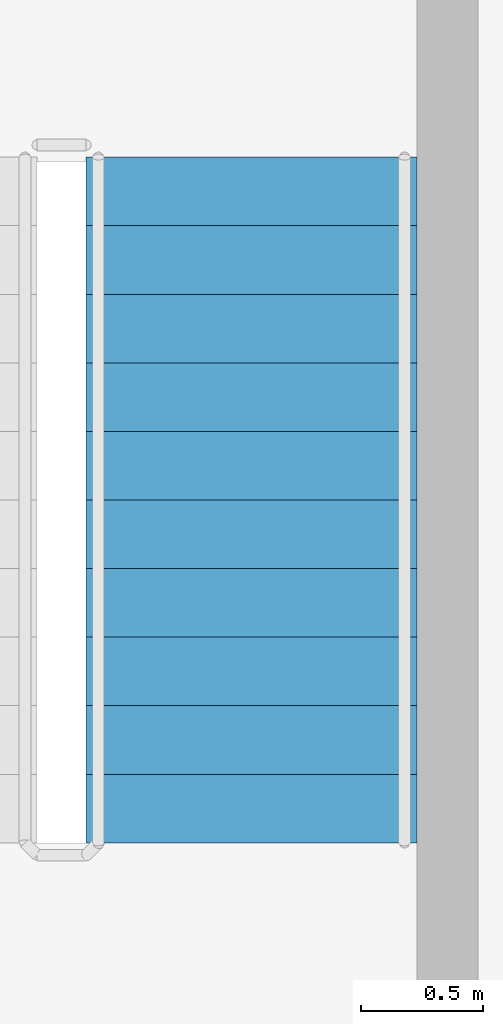
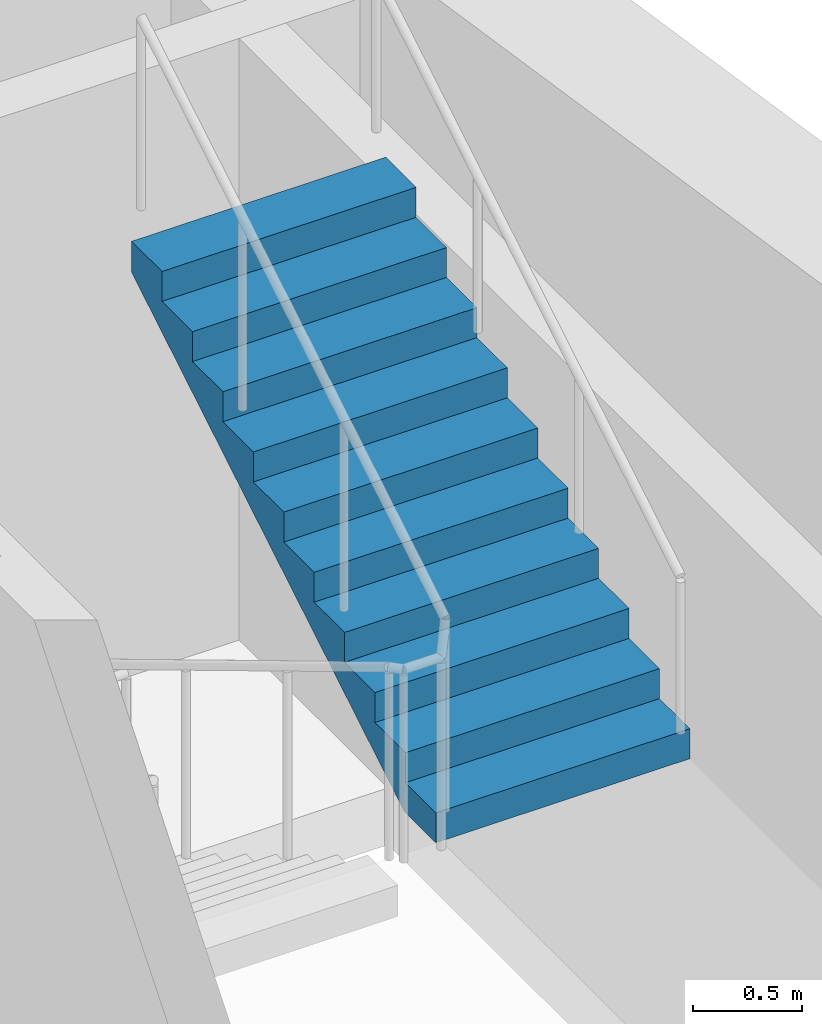
# One storey, part 6 of 10: 1 stair flight, 1 element without a shape of its own.
"""IFC4 building model written with IfcOpenShell, lengths in metres."""

from ifc_helpers import new_model, si_unit, direction, frame, origin, place, context, subcontext, project, spatial, polyline, outline, extrude, material, type_object, element, aggregate, save


model = new_model("IFC4")

# Units and contexts
model_context = context("Model", 3, precision=1e-05, world=origin(), true_north=direction((0.0, 1.0)))
body_context = subcontext(model_context, "Body", "Model", "MODEL_VIEW")
ifc_project = project(units=[si_unit("LENGTHUNIT", "METRE"), si_unit("AREAUNIT", "SQUARE_METRE"), si_unit("VOLUMEUNIT", "CUBIC_METRE"), si_unit("PLANEANGLEUNIT", "RADIAN"), si_unit("MASSUNIT", "GRAM", prefix="KILO")], contexts=[model_context])

# Site, building, storey
site_placement = place(None, origin())
site = spatial("IfcSite", under=ifc_project, at=site_placement, CompositionType="ELEMENT")
building_placement = place(site_placement, origin())
building = spatial("IfcBuilding", under=site, at=building_placement, Name="Candeia Pilgrim Tower and Theatre", CompositionType="ELEMENT")
storey_placement = place(building_placement, frame((0.0, 0.0, 288.60009765625)))
storey = spatial("IfcBuildingStorey", under=building, at=storey_placement, Name="L70", CompositionType="ELEMENT", Elevation=288.60009765625)

# Stair, stair flight
ifc_material = material(Name="Concrete C40/50", Category="concrete")
stair_type = type_object("IfcStairType", Name="ST-TWR dog-leg escape stair", PredefinedType="HALF_TURN_STAIR", material=ifc_material)
stair_placement = place(storey_placement, origin())
stair = element("IfcStair", 1, at=stair_placement, inside=storey, type_object=stair_type, Name="L70 Escape stair ST4", PredefinedType="HALF_TURN_STAIR")
stair_flight_type = type_object("IfcStairFlightType", Name="SFL-RC stair flight", PredefinedType="STRAIGHT", material=ifc_material)
stair_flight_placement = place(storey_placement, frame((136.322998046875, 126.925048828125, 1.849853515625), z_axis=(0.0, 0.0, 1.0), x_axis=(0.0, 1.0, 0.0)))
stair_flight = element("IfcStairFlight", 2, at=stair_flight_placement, type_object=stair_flight_type, Name="ST4 flight 2", NumberOfRisers=11, NumberOfTreads=10, PredefinedType="STRAIGHT", RiserHeight=0.168181818, TreadLength=0.28, context=body_context, shape_type="SweptSolid", body=[
    extrude(outline(polyline([(0.0, 0.0), (0.0, 0.168212890625), (0.280029296875, 0.168212890625), (0.280029296875, 0.33642578125), (0.56005859375, 0.33642578125), (0.56005859375, 0.504638671875), (0.840087890625, 0.504638671875), (0.840087890625, 0.672607421875), (1.1201171875, 0.672607421875), (1.1201171875, 0.8408203125), (1.39990234375, 0.8408203125), (1.39990234375, 1.009033203125), (1.679931640625, 1.009033203125), (1.679931640625, 1.17724609375), (1.9599609375, 1.17724609375), (1.9599609375, 1.345458984375), (2.239990234375, 1.345458984375), (2.239990234375, 1.513671875), (2.52001953125, 1.513671875), (2.52001953125, 1.681884765625), (2.800048828125, 1.681884765625), (2.800048828125, 1.85009765625), (2.800048828125, 1.5068359375), (0.291015625, 0.0), (0.0, 0.0)])), frame((0.0, 0.675048828125, 0.0), z_axis=(0.0, -1.0, 0.0), x_axis=(1.0, 0.0, 0.0)), (0.0, 0.0, 1.0), 1.35009765625),
])
aggregate(stair, [stair_flight])

save(model, "model.ifc")
